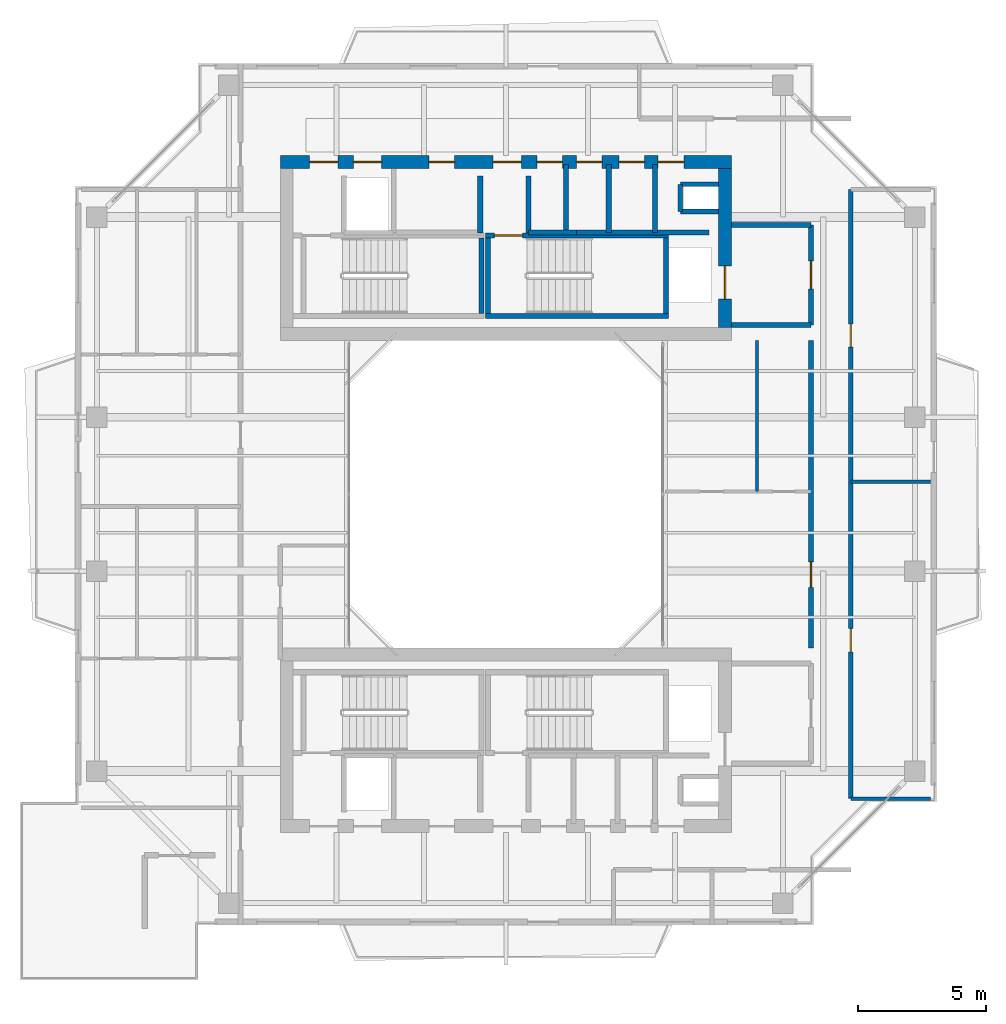
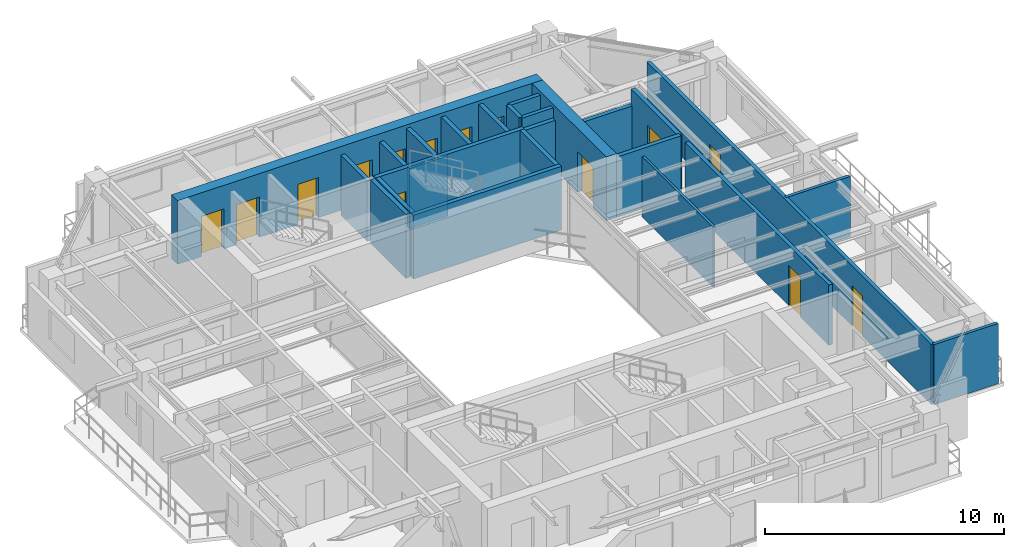
# One storey, part 11 of 15: 25 walls, 14 doors, 14 openings.
"""IFC4 building model written with IfcOpenShell, lengths in metres."""

from ifc_helpers import new_model, si_unit, direction, frame, frame_2d, origin, place, context, subcontext, project, spatial, rectangle, extrude, source, transform, mapped, material, layer, layer_set, type_object, element, fill, save


model = new_model("IFC4")

# Units and contexts
model_context = context("Model", 3, precision=1e-05, world=origin(), true_north=direction((0.0, 1.0)))
body_context = subcontext(model_context, "Body", "Model", "MODEL_VIEW")
ifc_project = project(units=[si_unit("LENGTHUNIT", "METRE"), si_unit("AREAUNIT", "SQUARE_METRE"), si_unit("VOLUMEUNIT", "CUBIC_METRE"), si_unit("PLANEANGLEUNIT", "RADIAN"), si_unit("MASSUNIT", "GRAM", prefix="KILO"), si_unit("THERMODYNAMICTEMPERATUREUNIT", "KELVIN"), si_unit("POWERUNIT", "WATT")], contexts=[model_context])

# Site, building, storey
site_placement = place(None, origin())
site = spatial("IfcSite", under=ifc_project, at=site_placement, CompositionType="ELEMENT")
building_placement = place(site_placement, origin())
building = spatial("IfcBuilding", under=site, at=building_placement, Name="Qiaomeng Ring Towers", CompositionType="ELEMENT")
storey_placement = place(building_placement, frame((0.0, 0.0, 193.75)))
storey = spatial("IfcBuildingStorey", under=building, at=storey_placement, Name="L56", CompositionType="ELEMENT", Elevation=193.75)

# Walls
ifc_material_1 = material(Name="Autoclaved aerated concrete block", Category="concrete")
ifc_layer_1 = layer(ifc_material_1, 0.199951171875, Name="Autoclaved aerated concrete block")
ifc_layer_set_1 = layer_set([ifc_layer_1], Name="Autoclaved aerated concrete block")
wall_type_1 = type_object("IfcWallType", Name="ARC-WL-PW1", PredefinedType="PARTITIONING", material=ifc_layer_set_1)
wall_1_placement = place(storey_placement, frame((27.800048828125, 29.60009765625, 0.0), z_axis=(0.0, 0.0, 1.0), x_axis=(1.0, 0.0, 0.0)))
element("IfcWall", 1, at=wall_1_placement, inside=storey, type_object=wall_type_1, Name="L56 Interior Wall PW1", PredefinedType="PARTITIONING", context=body_context, shape_type="SweptSolid", body=[
    extrude(rectangle(XDim=3.099853515625, YDim=0.199951171875, at=frame_2d((1.5498046875, 0.0))), origin(), (0.0, 0.0, 1.0), 3.070068359375),
])
wall_2_placement = place(storey_placement, frame((27.800048828125, 33.5, 0.0), z_axis=(0.0, 0.0, 1.0), x_axis=(1.0, 0.0, 0.0)))
element("IfcWall", 2, at=wall_2_placement, inside=storey, type_object=wall_type_1, Name="L56 Interior Wall PW1", PredefinedType="PARTITIONING", context=body_context, shape_type="SweptSolid", body=[
    extrude(rectangle(XDim=3.099853515625, YDim=0.199951171875, at=frame_2d((1.5498046875, 0.0))), origin(), (0.0, 0.0, 1.0), 2.264892578125),
])

# Wall, opening, door
wall_3_placement = place(storey_placement, frame((30.89990234375, 29.60009765625, 0.0), z_axis=(0.0, 0.0, 1.0), x_axis=(0.0, 1.0, 0.0)))
wall_3 = element("IfcWall", 3, at=wall_3_placement, inside=storey, type_object=wall_type_1, Name="L56 Interior Wall PW1", PredefinedType="PARTITIONING", context=body_context, shape_type="SweptSolid", body=[
    extrude(rectangle(XDim=3.89990234375, YDim=0.199951171875, at=frame_2d((1.949951171875, 0.0))), origin(), (0.0, 0.0, 1.0), 3.070068359375),
])
opening_1_placement = place(wall_3_placement, frame((1.39990234375, 0.0, 0.0)))
opening_1 = element("IfcOpeningElement", 4, at=opening_1_placement, cuts=wall_3, Name="Opening FD3", PredefinedType="OPENING", context=body_context, shape_type="SweptSolid", body=[
    extrude(rectangle(XDim=1.10009765625, YDim=2.050048828125, at=frame_2d((0.550048828125, 1.02490234375))), frame((0.0, 0.10986328125, 0.0), z_axis=(0.0, -1.0, 0.0), x_axis=(1.0, 0.0, 0.0)), (0.0, 0.0, 1.0), 0.219970703125),
])
ifc_material_2 = material(Name="Galvanised steel", Category="steel")
door_type_1 = type_object("IfcDoorType", Name="ARC-DR-FD3", OperationType="NOTDEFINED", PredefinedType="DOOR", material=ifc_material_2)
shared_shape_1 = source(origin(), body_context, "Body", "SweptSolid", [
    extrude(rectangle(XDim=1.10009765625, YDim=2.050048828125, at=frame_2d((0.550048828125, 1.02490234375))), frame((0.0, 0.02490234375, 0.0), z_axis=(0.0, -1.0, 0.0), x_axis=(1.0, 0.0, 0.0)), (0.0, 0.0, 1.0), 0.050048828125),
])
door_1_placement = place(opening_1_placement, origin())
door_1 = element("IfcDoor", 5, at=door_1_placement, inside=storey, type_object=door_type_1, Name="L56 North FF Lobby Door", OperationType="SINGLE_SWING_LEFT", OverallHeight=2.050048828125, OverallWidth=1.10009765625, PredefinedType="DOOR", context=body_context, shape_type="MappedRepresentation", body=[
    mapped(shared_shape_1, transform((0.0, 0.0, 0.0), x_axis=(1.0, 0.0, 0.0), y_axis=(0.0, 1.0, 0.0), z_axis=(0.0, 0.0, 1.0), scale=1.0)),
])
fill(opening_1, door_1)

# Walls
for number, where, z_axis, x_axis, name in (
    (6, (18.0, 33.18994140625, 0.0), (0.0, 0.0, 1.0), (0.0, 1.0, 0.0), "L56 Interior Wall PW1"),
    (7, (19.8798828125, 33.18994140625, 0.0), (0.0, 0.0, 1.0), (0.0, 1.0, 0.0), "L56 Interior Wall PW1"),
):
    element("IfcWall", number, at=place(storey_placement, frame(where, z_axis=z_axis, x_axis=x_axis)), inside=storey, type_object=wall_type_1, Name=name, PredefinedType="PARTITIONING", context=body_context, shape_type="SweptSolid", body=[
        extrude(rectangle(XDim=2.2099609375, YDim=0.199951171875, at=frame_2d((1.10498046875, 0.0))), origin(), (0.0, 0.0, 1.0), 3.070068359375),
    ])
wall_4_placement = place(storey_placement, frame((24.820068359375, 33.199951171875, 0.0), z_axis=(0.0, 0.0, 1.0), x_axis=(0.0, 1.0, 0.0)))
element("IfcWall", 8, at=wall_4_placement, inside=storey, type_object=wall_type_1, Name="L56 Interior Wall PW1", PredefinedType="PARTITIONING", context=body_context, shape_type="SweptSolid", body=[
    extrude(rectangle(XDim=2.650146484375, YDim=0.199951171875, at=frame_2d((1.3251953125, 0.0))), origin(), (0.0, 0.0, 1.0), 3.070068359375),
])
wall_5_placement = place(storey_placement, frame((19.8798828125, 33.199951171875, 0.0), z_axis=(0.0, 0.0, 1.0), x_axis=(1.0, 0.0, 0.0)))
element("IfcWall", 9, at=wall_5_placement, inside=storey, type_object=wall_type_1, Name="L56 Interior Wall PW1", PredefinedType="PARTITIONING", context=body_context, shape_type="SweptSolid", body=[
    extrude(rectangle(XDim=1.8701171875, YDim=0.199951171875, at=frame_2d((0.93505859375, 0.0))), origin(), (0.0, 0.0, 1.0), 3.070068359375),
])
for number, where, z_axis, x_axis, name in (
    (10, (21.340087890625, 33.199951171875, 0.0), (0.0, 0.0, 1.0), (0.0, 1.0, 0.0), "L56 Interior Wall PW1"),
    (11, (23.010009765625, 33.199951171875, 0.0), (0.0, 0.0, 1.0), (0.0, 1.0, 0.0), "L56 Interior Wall PW1"),
):
    element("IfcWall", number, at=place(storey_placement, frame(where, z_axis=z_axis, x_axis=x_axis)), inside=storey, type_object=wall_type_1, Name=name, PredefinedType="PARTITIONING", context=body_context, shape_type="SweptSolid", body=[
        extrude(rectangle(XDim=2.650146484375, YDim=0.199951171875, at=frame_2d((1.3251953125, 0.0))), origin(), (0.0, 0.0, 1.0), 3.070068359375),
    ])
wall_6_placement = place(storey_placement, frame((21.75, 33.199951171875, 0.0), z_axis=(0.0, 0.0, 1.0), x_axis=(1.0, 0.0, 0.0)))
element("IfcWall", 12, at=wall_6_placement, inside=storey, type_object=wall_type_1, Name="L56 Interior Wall PW1", PredefinedType="PARTITIONING", context=body_context, shape_type="SweptSolid", body=[
    extrude(rectangle(XDim=5.169921875, YDim=0.199951171875, at=frame_2d((2.5849609375, 0.0))), origin(), (0.0, 0.0, 1.0), 3.070068359375),
])

# Wall, opening, door
ifc_layer_2 = layer(ifc_material_1, 0.179931640625, Name="Autoclaved aerated concrete block")
ifc_layer_set_2 = layer_set([ifc_layer_2], Name="Autoclaved aerated concrete block")
wall_type_2 = type_object("IfcWallType", Name="ARC-WL-PW2", PredefinedType="PARTITIONING", material=ifc_layer_set_2)
wall_7_placement = place(storey_placement, frame((30.89990234375, 17.0, 0.0), z_axis=(0.0, 0.0, 1.0), x_axis=(0.0, 1.0, 0.0)))
wall_7 = element("IfcWall", 13, at=wall_7_placement, inside=storey, type_object=wall_type_2, Name="L56 Interior Wall PW2", PredefinedType="PARTITIONING", context=body_context, shape_type="SweptSolid", body=[
    extrude(rectangle(XDim=12.0, YDim=0.179931640625, at=frame_2d((6.0, 0.0))), origin(), (0.0, 0.0, 1.0), 3.070068359375),
])
opening_2_placement = place(wall_7_placement, frame((2.360107421875, 0.0, 0.0)))
opening_2 = element("IfcOpeningElement", 14, at=opening_2_placement, cuts=wall_7, Name="Opening FD4", PredefinedType="OPENING", context=body_context, shape_type="SweptSolid", body=[
    extrude(rectangle(XDim=1.0, YDim=2.050048828125, at=frame_2d((0.5, 1.02490234375))), frame((0.0, 0.099853515625, 0.0), z_axis=(0.0, -1.0, 0.0), x_axis=(1.0, 0.0, 0.0)), (0.0, 0.0, 1.0), 0.199951171875),
])
ifc_material_3 = material(Name="Engineered fire-rated oak timber", Category="wood")
door_type_2 = type_object("IfcDoorType", Name="ARC-DR-FD4", OperationType="NOTDEFINED", PredefinedType="DOOR", material=ifc_material_3)
shared_shape_2 = source(origin(), body_context, "Body", "SweptSolid", [
    extrude(rectangle(XDim=1.0, YDim=2.050048828125, at=frame_2d((0.5, 1.02490234375))), frame((0.0, 0.02490234375, 0.0), z_axis=(0.0, -1.0, 0.0), x_axis=(1.0, 0.0, 0.0)), (0.0, 0.0, 1.0), 0.050048828125),
])
door_2_placement = place(opening_2_placement, origin())
door_2 = element("IfcDoor", 15, at=door_2_placement, inside=storey, type_object=door_type_2, Name="L56 Door FD4", OperationType="SINGLE_SWING_LEFT", OverallHeight=2.050048828125, OverallWidth=1.0, PredefinedType="DOOR", context=body_context, shape_type="MappedRepresentation", body=[
    mapped(shared_shape_2, transform((0.0, 0.0, 0.0), x_axis=(1.0, 0.0, 0.0), y_axis=(0.0, 1.0, 0.0), z_axis=(0.0, 0.0, 1.0), scale=1.0)),
])
fill(opening_2, door_2)

# Wall, openings, doors
wall_8_placement = place(storey_placement, frame((32.449951171875, 11.1201171875, 0.0), z_axis=(0.0, 0.0, 1.0), x_axis=(0.0, 1.0, 0.0)))
wall_8 = element("IfcWall", 16, at=wall_8_placement, inside=storey, type_object=wall_type_2, Name="L56 Interior Wall PW2", PredefinedType="PARTITIONING", context=body_context, shape_type="SweptSolid", body=[
    extrude(rectangle(XDim=23.759765625, YDim=0.179931640625, at=frame_2d((11.8798828125, 0.0))), origin(), (0.0, 0.0, 1.0), 3.070068359375),
])
opening_3_placement = place(wall_8_placement, frame((5.72998046875, 0.0, 0.0)))
opening_3 = element("IfcOpeningElement", 17, at=opening_3_placement, cuts=wall_8, Name="Opening ID1", PredefinedType="OPENING", context=body_context, shape_type="SweptSolid", body=[
    extrude(rectangle(XDim=0.89990234375, YDim=2.050048828125, at=frame_2d((0.449951171875, 1.02490234375))), frame((0.0, 0.099853515625, 0.0), z_axis=(0.0, -1.0, 0.0), x_axis=(1.0, 0.0, 0.0)), (0.0, 0.0, 1.0), 0.199951171875),
])
opening_4_placement = place(wall_8_placement, frame((17.610107421875, 0.0, 0.0)))
opening_4 = element("IfcOpeningElement", 18, at=opening_4_placement, cuts=wall_8, Name="Opening ID1", PredefinedType="OPENING", context=body_context, shape_type="SweptSolid", body=[
    extrude(rectangle(XDim=0.89990234375, YDim=2.050048828125, at=frame_2d((0.449951171875, 1.02490234375))), frame((0.0, 0.099853515625, 0.0), z_axis=(0.0, -1.0, 0.0), x_axis=(1.0, 0.0, 0.0)), (0.0, 0.0, 1.0), 0.199951171875),
])
ifc_material_4 = material(Name="Engineered oak timber", Category="wood")
door_type_3 = type_object("IfcDoorType", Name="ARC-DR-ID1", OperationType="NOTDEFINED", PredefinedType="DOOR", material=ifc_material_4)
shared_shape_3 = source(origin(), body_context, "Body", "SweptSolid", [
    extrude(rectangle(XDim=0.89990234375, YDim=2.050048828125, at=frame_2d((0.449951171875, 1.02490234375))), frame((0.0, 0.02490234375, 0.0), z_axis=(0.0, -1.0, 0.0), x_axis=(1.0, 0.0, 0.0)), (0.0, 0.0, 1.0), 0.050048828125),
])
door_3_placement = place(opening_3_placement, origin())
door_3 = element("IfcDoor", 19, at=door_3_placement, inside=storey, type_object=door_type_3, Name="L56 Door ID1", OperationType="SINGLE_SWING_RIGHT", OverallHeight=2.050048828125, OverallWidth=0.89990234375, PredefinedType="DOOR", context=body_context, shape_type="MappedRepresentation", body=[
    mapped(shared_shape_3, transform((0.0, 0.0, 0.0), x_axis=(1.0, 0.0, 0.0), y_axis=(0.0, 1.0, 0.0), z_axis=(0.0, 0.0, 1.0), scale=1.0)),
])
fill(opening_3, door_3)
door_4_placement = place(opening_4_placement, origin())
door_4 = element("IfcDoor", 20, at=door_4_placement, inside=storey, type_object=door_type_3, Name="L56 Door ID1", OperationType="SINGLE_SWING_LEFT", OverallHeight=2.050048828125, OverallWidth=0.89990234375, PredefinedType="DOOR", context=body_context, shape_type="MappedRepresentation", body=[
    mapped(shared_shape_3, transform((0.0, 0.0, 0.0), x_axis=(1.0, 0.0, 0.0), y_axis=(0.0, 1.0, 0.0), z_axis=(0.0, 0.0, 1.0), scale=1.0)),
])
fill(opening_4, door_4)

# Walls
ifc_material_5 = material(Name="Gypsum fireboard steel-stud partition", Category="steel")
ifc_layer_3 = layer(ifc_material_5, 0.14990234375, Name="Gypsum fireboard steel-stud partition")
ifc_layer_set_3 = layer_set([ifc_layer_3], Name="Gypsum fireboard steel-stud partition")
wall_type_3 = type_object("IfcWallType", Name="ARC-WL-PW3", PredefinedType="PARTITIONING", material=ifc_layer_set_3)
for number, where, z_axis, x_axis, name in (
    (21, (32.449951171875, 11.1201171875, 0.0), (0.0, 0.0, 1.0), (1.0, 0.0, 0.0), "L56 Interior Wall PW3"),
    (22, (32.449951171875, 23.47998046875, 0.0), (0.0, 0.0, 1.0), (1.0, 0.0, 0.0), "L56 Interior Wall PW3"),
):
    element("IfcWall", number, at=place(storey_placement, frame(where, z_axis=z_axis, x_axis=x_axis)), inside=storey, type_object=wall_type_3, Name=name, PredefinedType="PARTITIONING", context=body_context, shape_type="SweptSolid", body=[
        extrude(rectangle(XDim=3.10009765625, YDim=0.14990234375, at=frame_2d((1.550048828125, 0.0))), origin(), (0.0, 0.0, 1.0), 3.070068359375),
    ])
ifc_material_6 = material(Name="Moisture-resistant gypsum steel-stud partition", Category="steel")
ifc_layer_4 = layer(ifc_material_6, 0.1201171875, Name="Moisture-resistant gypsum steel-stud partition")
ifc_layer_set_4 = layer_set([ifc_layer_4], Name="Moisture-resistant gypsum steel-stud partition")
wall_type_4 = type_object("IfcWallType", Name="ARC-WL-PW4", PredefinedType="PLUMBINGWALL", material=ifc_layer_set_4)
wall_9_placement = place(storey_placement, frame((28.800048828125, 23.10009765625, 0.0), z_axis=(0.0, 0.0, 1.0), x_axis=(0.0, 1.0, 0.0)))
element("IfcWall", 23, at=wall_9_placement, inside=storey, type_object=wall_type_4, Name="L56 Interior Wall PW4", PredefinedType="PLUMBINGWALL", context=body_context, shape_type="SweptSolid", body=[
    extrude(rectangle(XDim=5.89990234375, YDim=0.1201171875, at=frame_2d((2.949951171875, 0.0))), origin(), (0.0, 0.0, 1.0), 3.070068359375),
])
ifc_material_7 = material(Name="Concrete C40", Category="concrete")
ifc_layer_5 = layer(ifc_material_7, 0.199951171875, Name="Concrete C40")
ifc_layer_set_5 = layer_set([ifc_layer_5], Name="Concrete C40")
wall_type_5 = type_object("IfcWallType", Name="STR-WL-STSHAFT", PredefinedType="SHEAR", material=ifc_layer_set_5)
wall_10_placement = place(storey_placement, frame((25.800048828125, 34.02001953125, 0.0), z_axis=(0.0, 0.0, 1.0), x_axis=(0.0, 1.0, 0.0)))
element("IfcWall", 24, at=wall_10_placement, inside=storey, type_object=wall_type_5, Name="L56 Riser RSR1 West Shaft Wall N", PredefinedType="SHEAR", context=body_context, shape_type="SweptSolid", body=[
    extrude(rectangle(XDim=1.06005859375, YDim=0.179931640625, at=frame_2d((0.530029296875, 0.0))), origin(), (0.0, 0.0, 1.0), 3.070068359375),
])
for number, where, z_axis, x_axis, name in (
    (25, (25.800048828125, 35.080078125, 0.0), (0.0, 0.0, 1.0), (1.0, 0.0, 0.0), "L56 Riser RSR1 North Shaft Wall N"),
    (26, (25.800048828125, 34.02001953125, 0.0), (0.0, 0.0, 1.0), (1.0, 0.0, 0.0), "L56 Riser RSR1 South Shaft Wall N"),
):
    element("IfcWall", number, at=place(storey_placement, frame(where, z_axis=z_axis, x_axis=x_axis)), inside=storey, type_object=wall_type_5, Name=name, PredefinedType="SHEAR", context=body_context, shape_type="SweptSolid", body=[
        extrude(rectangle(XDim=1.5, YDim=0.179931640625, at=frame_2d((0.75, 0.0))), origin(), (0.0, 0.0, 1.0), 3.070068359375),
    ])
wall_11_placement = place(storey_placement, frame((18.050048828125, 30.050048828125, 0.0), z_axis=(0.0, 0.0, 1.0), x_axis=(0.0, 1.0, 0.0)))
element("IfcWall", 27, at=wall_11_placement, inside=storey, type_object=wall_type_5, Name="L56 Stair ST1 East Shaft Shear Wall", PredefinedType="SHEAR", context=body_context, shape_type="SweptSolid", body=[
    extrude(rectangle(XDim=2.93994140625, YDim=0.199951171875, at=frame_2d((1.469970703125, 0.0))), origin(), (0.0, 0.0, 1.0), 3.25),
])
wall_12_placement = place(storey_placement, frame((18.199951171875, 29.949951171875, 0.0), z_axis=(0.0, 0.0, 1.0), x_axis=(1.0, 0.0, 0.0)))
element("IfcWall", 28, at=wall_12_placement, inside=storey, type_object=wall_type_5, Name="L56 Stair ST2 South Shaft Shear Wall", PredefinedType="SHEAR", context=body_context, shape_type="SweptSolid", body=[
    extrude(rectangle(XDim=7.150146484375, YDim=0.199951171875, at=frame_2d((3.5751953125, 0.0))), origin(), (0.0, 0.0, 1.0), 3.25),
])

# Wall, opening, door
wall_13_placement = place(storey_placement, frame((18.199951171875, 33.090087890625, 0.0), z_axis=(0.0, 0.0, 1.0), x_axis=(1.0, 0.0, 0.0)))
wall_13 = element("IfcWall", 29, at=wall_13_placement, inside=storey, type_object=wall_type_5, Name="L56 Stair ST2 North Shaft Shear Wall", PredefinedType="SHEAR", context=body_context, shape_type="SweptSolid", body=[
    extrude(rectangle(XDim=7.150146484375, YDim=0.199951171875, at=frame_2d((3.5751953125, 0.0))), origin(), (0.0, 0.0, 1.0), 3.25),
])
opening_5_placement = place(wall_13_placement, frame((0.35009765625, 0.0, 0.0)))
opening_5 = element("IfcOpeningElement", 30, at=opening_5_placement, cuts=wall_13, Name="Opening FD3", PredefinedType="OPENING", context=body_context, shape_type="SweptSolid", body=[
    extrude(rectangle(XDim=1.10009765625, YDim=2.050048828125, at=frame_2d((0.550048828125, 1.02490234375))), frame((0.0, 0.10986328125, 0.0), z_axis=(0.0, -1.0, 0.0), x_axis=(1.0, 0.0, 0.0)), (0.0, 0.0, 1.0), 0.219970703125),
])
door_5_placement = place(opening_5_placement, origin())
door_5 = element("IfcDoor", 31, at=door_5_placement, inside=storey, type_object=door_type_1, Name="L56 Stair ST2 Exit Door", OperationType="SINGLE_SWING_RIGHT", OverallHeight=2.050048828125, OverallWidth=1.10009765625, PredefinedType="DOOR", context=body_context, shape_type="MappedRepresentation", body=[
    mapped(shared_shape_1, transform((0.0, 0.0, 0.0), x_axis=(1.0, 0.0, 0.0), y_axis=(0.0, 1.0, 0.0), z_axis=(0.0, 0.0, 1.0), scale=1.0)),
])
fill(opening_5, door_5)

# Walls
for number, where, z_axis, x_axis, name in (
    (32, (18.300048828125, 30.050048828125, 0.0), (0.0, 0.0, 1.0), (0.0, 1.0, 0.0), "L56 Stair ST2 West Shaft Shear Wall"),
    (33, (25.25, 30.050048828125, 0.0), (0.0, 0.0, 1.0), (0.0, 1.0, 0.0), "L56 Stair ST2 East Shaft Shear Wall"),
):
    element("IfcWall", number, at=place(storey_placement, frame(where, z_axis=z_axis, x_axis=x_axis)), inside=storey, type_object=wall_type_5, Name=name, PredefinedType="SHEAR", context=body_context, shape_type="SweptSolid", body=[
        extrude(rectangle(XDim=2.93994140625, YDim=0.199951171875, at=frame_2d((1.469970703125, 0.0))), origin(), (0.0, 0.0, 1.0), 3.25),
    ])

# Wall, openings, doors
ifc_layer_6 = layer(ifc_material_7, 0.5, Name="Concrete C40")
ifc_layer_set_6 = layer_set([ifc_layer_6], Name="Concrete C40")
wall_type_6 = type_object("IfcWallType", Name="STR-WL-SW3", PredefinedType="SHEAR", material=ifc_layer_set_6)
wall_14_placement = place(storey_placement, frame((10.199951171875, 35.949951171875, 0.0), z_axis=(0.0, 0.0, 1.0), x_axis=(1.0, 0.0, 0.0)))
wall_14 = element("IfcWall", 34, at=wall_14_placement, inside=storey, type_object=wall_type_6, Name="L56 T1NC north core shear wall", PredefinedType="SHEAR", context=body_context, shape_type="SweptSolid", body=[
    extrude(rectangle(XDim=17.60009765625, YDim=0.5, at=frame_2d((8.800048828125, 0.0))), origin(), (0.0, 0.0, 1.0), 3.25),
])
opening_6_placement = place(wall_14_placement, frame((1.14990234375, 0.0, 0.0)))
opening_6 = element("IfcOpeningElement", 35, at=opening_6_placement, cuts=wall_14, Name="Opening FD3", PredefinedType="OPENING", context=body_context, shape_type="SweptSolid", body=[
    extrude(rectangle(XDim=1.10009765625, YDim=2.050048828125, at=frame_2d((0.550048828125, 1.02490234375))), frame((0.0, 0.260009765625, 0.0), z_axis=(0.0, -1.0, 0.0), x_axis=(1.0, 0.0, 0.0)), (0.0, 0.0, 1.0), 0.52001953125),
])
opening_7_placement = place(wall_14_placement, frame((8.300048828125, 0.0, 0.0)))
opening_7 = element("IfcOpeningElement", 36, at=opening_7_placement, cuts=wall_14, Name="Opening FD3", PredefinedType="OPENING", context=body_context, shape_type="SweptSolid", body=[
    extrude(rectangle(XDim=1.10009765625, YDim=2.050048828125, at=frame_2d((0.550048828125, 1.02490234375))), frame((0.0, 0.260009765625, 0.0), z_axis=(0.0, -1.0, 0.0), x_axis=(1.0, 0.0, 0.0)), (0.0, 0.0, 1.0), 0.52001953125),
])
opening_8_placement = place(wall_14_placement, frame((2.85009765625, 0.0, 0.0)))
opening_8 = element("IfcOpeningElement", 37, at=opening_8_placement, cuts=wall_14, Name="Opening LD1", PredefinedType="OPENING", context=body_context, shape_type="SweptSolid", body=[
    extrude(rectangle(XDim=1.10009765625, YDim=2.050048828125, at=frame_2d((0.550048828125, 1.02490234375))), frame((0.0, 0.260009765625, 0.0), z_axis=(0.0, -1.0, 0.0), x_axis=(1.0, 0.0, 0.0)), (0.0, 0.0, 1.0), 0.52001953125),
])
opening_9_placement = place(wall_14_placement, frame((5.800048828125, 0.0, 0.0)))
opening_9 = element("IfcOpeningElement", 38, at=opening_9_placement, cuts=wall_14, Name="Opening FD1", PredefinedType="OPENING", context=body_context, shape_type="SweptSolid", body=[
    extrude(rectangle(XDim=1.0, YDim=2.050048828125, at=frame_2d((0.5, 1.02490234375))), frame((0.0, 0.260009765625, 0.0), z_axis=(0.0, -1.0, 0.0), x_axis=(1.0, 0.0, 0.0)), (0.0, 0.0, 1.0), 0.52001953125),
])
opening_10_placement = place(wall_14_placement, frame((14.739990234375, 0.0, 0.0)))
opening_10 = element("IfcOpeningElement", 39, at=opening_10_placement, cuts=wall_14, Name="Opening FD1", PredefinedType="OPENING", context=body_context, shape_type="SweptSolid", body=[
    extrude(rectangle(XDim=1.0, YDim=2.050048828125, at=frame_2d((0.5, 1.02490234375))), frame((0.0, 0.260009765625, 0.0), z_axis=(0.0, -1.0, 0.0), x_axis=(1.0, 0.0, 0.0)), (0.0, 0.0, 1.0), 0.52001953125),
])
opening_11_placement = place(wall_14_placement, frame((10.0048828125, 0.0, 0.0)))
opening_11 = element("IfcOpeningElement", 40, at=opening_11_placement, cuts=wall_14, Name="Opening FD1", PredefinedType="OPENING", context=body_context, shape_type="SweptSolid", body=[
    extrude(rectangle(XDim=1.0, YDim=2.050048828125, at=frame_2d((0.5, 1.02490234375))), frame((0.0, 0.260009765625, 0.0), z_axis=(0.0, -1.0, 0.0), x_axis=(1.0, 0.0, 0.0)), (0.0, 0.0, 1.0), 0.52001953125),
])
opening_12_placement = place(wall_14_placement, frame((11.550048828125, 0.0, 0.0)))
opening_12 = element("IfcOpeningElement", 41, at=opening_12_placement, cuts=wall_14, Name="Opening FD1", PredefinedType="OPENING", context=body_context, shape_type="SweptSolid", body=[
    extrude(rectangle(XDim=1.0, YDim=2.050048828125, at=frame_2d((0.5, 1.02490234375))), frame((0.0, 0.260009765625, 0.0), z_axis=(0.0, -1.0, 0.0), x_axis=(1.0, 0.0, 0.0)), (0.0, 0.0, 1.0), 0.52001953125),
])
opening_13_placement = place(wall_14_placement, frame((13.215087890625, 0.0, 0.0)))
opening_13 = element("IfcOpeningElement", 42, at=opening_13_placement, cuts=wall_14, Name="Opening FD1", PredefinedType="OPENING", context=body_context, shape_type="SweptSolid", body=[
    extrude(rectangle(XDim=1.0, YDim=2.050048828125, at=frame_2d((0.5, 1.02490234375))), frame((0.0, 0.260009765625, 0.0), z_axis=(0.0, -1.0, 0.0), x_axis=(1.0, 0.0, 0.0)), (0.0, 0.0, 1.0), 0.52001953125),
])
door_6_placement = place(opening_6_placement, origin())
door_6 = element("IfcDoor", 43, at=door_6_placement, inside=storey, type_object=door_type_1, Name="L56 Stair ST1 Lobby Door", OperationType="SINGLE_SWING_LEFT", OverallHeight=2.050048828125, OverallWidth=1.10009765625, PredefinedType="DOOR", context=body_context, shape_type="MappedRepresentation", body=[
    mapped(shared_shape_1, transform((0.0, 0.0, 0.0), x_axis=(1.0, 0.0, 0.0), y_axis=(0.0, 1.0, 0.0), z_axis=(0.0, 0.0, 1.0), scale=1.0)),
])
fill(opening_6, door_6)
door_7_placement = place(opening_7_placement, origin())
door_7 = element("IfcDoor", 44, at=door_7_placement, inside=storey, type_object=door_type_1, Name="L56 Stair ST2 Lobby Door", OperationType="SINGLE_SWING_LEFT", OverallHeight=2.050048828125, OverallWidth=1.10009765625, PredefinedType="DOOR", context=body_context, shape_type="MappedRepresentation", body=[
    mapped(shared_shape_1, transform((0.0, 0.0, 0.0), x_axis=(1.0, 0.0, 0.0), y_axis=(0.0, 1.0, 0.0), z_axis=(0.0, 0.0, 1.0), scale=1.0)),
])
fill(opening_7, door_7)
ifc_material_8 = material(Name="Stainless steel 316", Category="steel")
door_type_4 = type_object("IfcDoorType", Name="ARC-DR-LD1", OperationType="NOTDEFINED", PredefinedType="DOOR", material=ifc_material_8)
door_8_placement = place(opening_8_placement, origin())
door_8 = element("IfcDoor", 45, at=door_8_placement, inside=storey, type_object=door_type_4, Name="L56 High-Zone Lift LP5 Landing Door", OperationType="SLIDING_TO_LEFT", OverallHeight=2.050048828125, OverallWidth=1.10009765625, PredefinedType="DOOR", context=body_context, shape_type="MappedRepresentation", body=[
    mapped(shared_shape_1, transform((0.0, 0.0, 0.0), x_axis=(1.0, 0.0, 0.0), y_axis=(0.0, 1.0, 0.0), z_axis=(0.0, 0.0, 1.0), scale=1.0)),
])
fill(opening_8, door_8)
door_type_5 = type_object("IfcDoorType", Name="ARC-DR-FD1", OperationType="NOTDEFINED", PredefinedType="DOOR", material=ifc_material_2)
door_9_placement = place(opening_9_placement, origin())
door_9 = element("IfcDoor", 46, at=door_9_placement, inside=storey, type_object=door_type_5, Name="L56 High-Zone Facilities Office Door", OperationType="SINGLE_SWING_LEFT", OverallHeight=2.050048828125, OverallWidth=1.0, PredefinedType="DOOR", context=body_context, shape_type="MappedRepresentation", body=[
    mapped(shared_shape_2, transform((0.0, 0.0, 0.0), x_axis=(1.0, 0.0, 0.0), y_axis=(0.0, 1.0, 0.0), z_axis=(0.0, 0.0, 1.0), scale=1.0)),
])
fill(opening_9, door_9)
door_10_placement = place(opening_10_placement, origin())
door_10 = element("IfcDoor", 47, at=door_10_placement, inside=storey, type_object=door_type_5, Name="L56 North Electrical Riser Door", OperationType="SINGLE_SWING_LEFT", OverallHeight=2.050048828125, OverallWidth=1.0, PredefinedType="DOOR", context=body_context, shape_type="MappedRepresentation", body=[
    mapped(shared_shape_2, transform((0.0, 0.0, 0.0), x_axis=(1.0, 0.0, 0.0), y_axis=(0.0, 1.0, 0.0), z_axis=(0.0, 0.0, 1.0), scale=1.0)),
])
fill(opening_10, door_10)
door_11_placement = place(opening_11_placement, origin())
door_11 = element("IfcDoor", 48, at=door_11_placement, inside=storey, type_object=door_type_5, Name="L56 North Cleaners Cupboard Door", OperationType="SINGLE_SWING_LEFT", OverallHeight=2.050048828125, OverallWidth=1.0, PredefinedType="DOOR", context=body_context, shape_type="MappedRepresentation", body=[
    mapped(shared_shape_2, transform((0.0, 0.0, 0.0), x_axis=(1.0, 0.0, 0.0), y_axis=(0.0, 1.0, 0.0), z_axis=(0.0, 0.0, 1.0), scale=1.0)),
])
fill(opening_11, door_11)
door_12_placement = place(opening_12_placement, origin())
door_12 = element("IfcDoor", 49, at=door_12_placement, inside=storey, type_object=door_type_5, Name="L56 North Staff Tea Pantry Door", OperationType="SINGLE_SWING_RIGHT", OverallHeight=2.050048828125, OverallWidth=1.0, PredefinedType="DOOR", context=body_context, shape_type="MappedRepresentation", body=[
    mapped(shared_shape_2, transform((0.0, 0.0, 0.0), x_axis=(1.0, 0.0, 0.0), y_axis=(0.0, 1.0, 0.0), z_axis=(0.0, 0.0, 1.0), scale=1.0)),
])
fill(opening_12, door_12)
door_13_placement = place(opening_13_placement, origin())
door_13 = element("IfcDoor", 50, at=door_13_placement, inside=storey, type_object=door_type_5, Name="L56 North Records Study Door", OperationType="SINGLE_SWING_LEFT", OverallHeight=2.050048828125, OverallWidth=1.0, PredefinedType="DOOR", context=body_context, shape_type="MappedRepresentation", body=[
    mapped(shared_shape_2, transform((0.0, 0.0, 0.0), x_axis=(1.0, 0.0, 0.0), y_axis=(0.0, 1.0, 0.0), z_axis=(0.0, 0.0, 1.0), scale=1.0)),
])
fill(opening_13, door_13)

# Wall, opening, door
wall_15_placement = place(storey_placement, frame((27.550048828125, 29.5, 0.0), z_axis=(0.0, 0.0, 1.0), x_axis=(0.0, 1.0, 0.0)))
wall_15 = element("IfcWall", 51, at=wall_15_placement, inside=storey, type_object=wall_type_6, Name="L56 T1NC east core shear wall", PredefinedType="SHEAR", context=body_context, shape_type="SweptSolid", body=[
    extrude(rectangle(XDim=6.199951171875, YDim=0.5, at=frame_2d((3.10009765625, 0.0))), origin(), (0.0, 0.0, 1.0), 3.25),
])
opening_14_placement = place(wall_15_placement, frame((1.10009765625, 0.0, 0.0)))
opening_14 = element("IfcOpeningElement", 52, at=opening_14_placement, cuts=wall_15, Name="Opening LD2", PredefinedType="OPENING", context=body_context, shape_type="SweptSolid", body=[
    extrude(rectangle(XDim=1.300048828125, YDim=2.050048828125, at=frame_2d((0.64990234375, 1.02490234375))), frame((0.0, 0.260009765625, 0.0), z_axis=(0.0, -1.0, 0.0), x_axis=(1.0, 0.0, 0.0)), (0.0, 0.0, 1.0), 0.52001953125),
])
door_type_6 = type_object("IfcDoorType", Name="ARC-DR-LD2", OperationType="NOTDEFINED", PredefinedType="DOOR", material=ifc_material_8)
shared_shape_4 = source(origin(), body_context, "Body", "SweptSolid", [
    extrude(rectangle(XDim=1.300048828125, YDim=2.050048828125, at=frame_2d((0.64990234375, 1.02490234375))), frame((0.0, 0.02490234375, 0.0), z_axis=(0.0, -1.0, 0.0), x_axis=(1.0, 0.0, 0.0)), (0.0, 0.0, 1.0), 0.050048828125),
])
door_14_placement = place(opening_14_placement, origin())
door_14 = element("IfcDoor", 53, at=door_14_placement, inside=storey, type_object=door_type_6, Name="L56 Firefighting Lift FL1 Landing Door", OperationType="SLIDING_TO_LEFT", OverallHeight=2.050048828125, OverallWidth=1.300048828125, PredefinedType="DOOR", context=body_context, shape_type="MappedRepresentation", body=[
    mapped(shared_shape_4, transform((0.0, 0.0, 0.0), x_axis=(1.0, 0.0, 0.0), y_axis=(0.0, 1.0, 0.0), z_axis=(0.0, 0.0, 1.0), scale=1.0)),
])
fill(opening_14, door_14)

save(model, "model.ifc")
